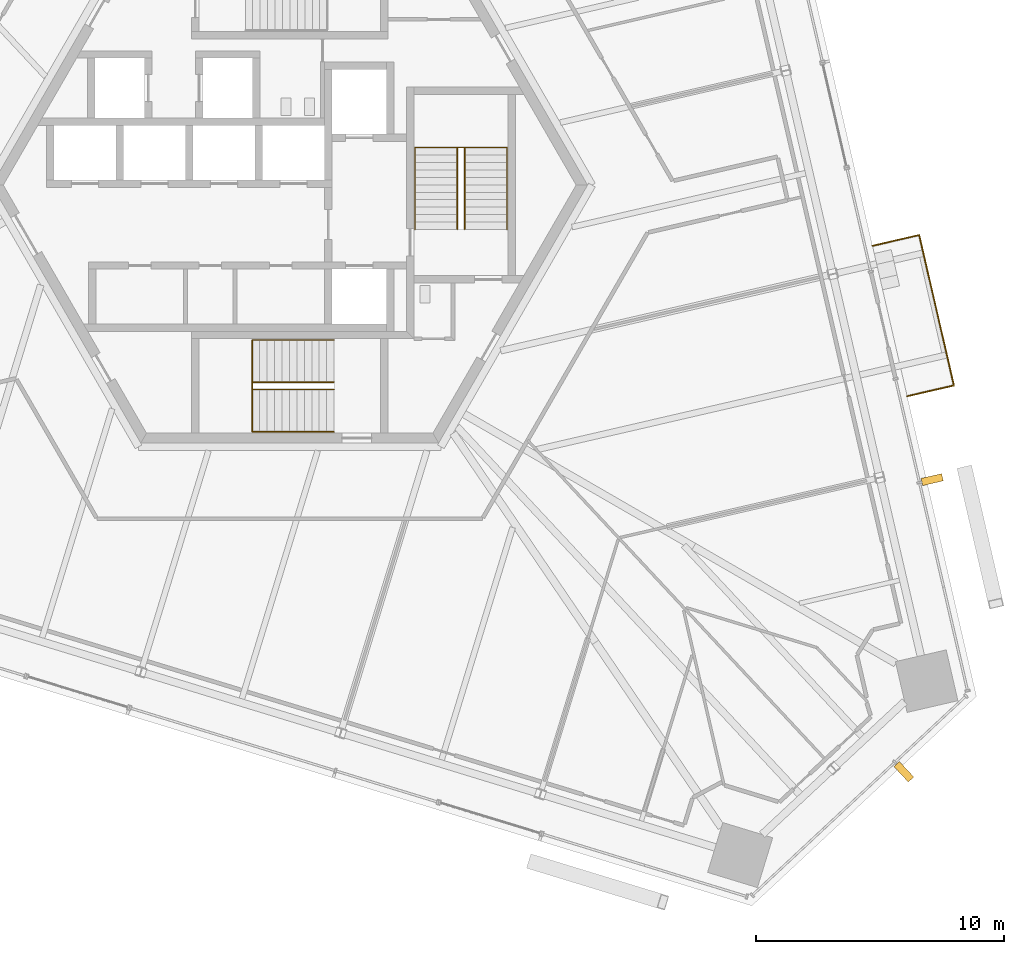
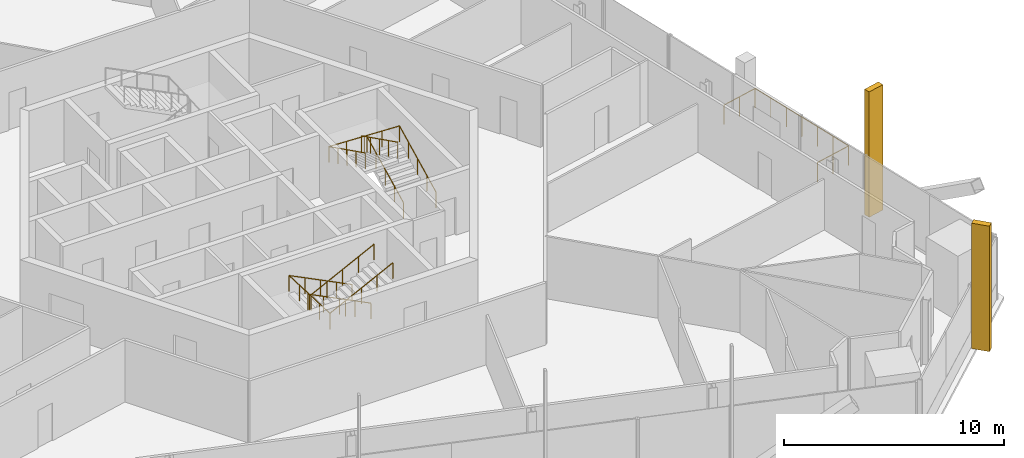
# One storey, part 19 of 24: 5 railings, 2 shading devices.
"""IFC4 building model written with IfcOpenShell, lengths in metres."""

import ifcopenshell
import ifcopenshell.guid

model = None  # the IFC model being written
_history = None  # IfcOwnerHistory: only IFC2X3 demands one
_inside = {}  # id of a spatial element -> (the spatial element, [elements in it])
_under = {}  # id of a project, library or spatial element -> (it, [spatial elements below it])
_declared = {}  # id of a project -> (the project, [libraries it declares])
_typed = {}  # id of a type object -> (the type object, [elements of that type])
_made_of = {}  # id of a material, layer set ... -> (it, [elements and type objects made of it])


def new_model(schema):
    """Start an empty IFC model of exactly this schema.

    Asked for "IFC4X3", IfcOpenShell would pick the latest addendum, in which some entities
    have other attributes; the version numbers below select the first issue.
    IFC2X3 requires an IfcOwnerHistory on every rooted entity: one is made here for all.
    """
    global model, _history
    if schema == "IFC4X3":
        model = ifcopenshell.file(schema_version=(4, 3, 0, 0))
    else:
        model = ifcopenshell.file(schema=schema)
    _inside.clear()
    _under.clear()
    _declared.clear()
    _typed.clear()
    _made_of.clear()
    _history = None
    if model.schema == "IFC2X3":
        org = make("IfcOrganization", Name="unknown")
        user = make(
            "IfcPersonAndOrganization",
            ThePerson=make("IfcPerson", FamilyName="unknown"),
            TheOrganization=org,
        )
        app = make(
            "IfcApplication",
            ApplicationDeveloper=org,
            Version="unknown",
            ApplicationFullName="unknown",
            ApplicationIdentifier="unknown",
        )
        _history = make(
            "IfcOwnerHistory",
            OwningUser=user,
            OwningApplication=app,
            ChangeAction="ADDED",
            CreationDate=0,
        )
    return model


def make(cls, **values):
    """One entity of the class cls with the attributes given. An attribute that is None is left unset."""
    return model.create_entity(
        cls, **{name: value for name, value in values.items() if value is not None}
    )


def rooted(cls, **values):
    """An entity with a GlobalId (a new one), such as an element, a storey or a relation."""
    return make(cls, GlobalId=ifcopenshell.guid.new(), OwnerHistory=_history, **values)


def si_unit(unit_type, name, prefix=None):
    """IfcSIUnit, for example si_unit("LENGTHUNIT", "METRE", prefix="MILLI")."""
    return make("IfcSIUnit", UnitType=unit_type, Prefix=prefix, Name=name)


def assignment(units):
    """IfcUnitAssignment: the units of a project."""
    return None if units is None else make("IfcUnitAssignment", Units=units)


def point(xyz):
    """IfcCartesianPoint."""
    return None if xyz is None else make("IfcCartesianPoint", Coordinates=xyz)


def direction(xyz):
    """IfcDirection."""
    return None if xyz is None else make("IfcDirection", DirectionRatios=xyz)


def frame(location, z_axis=None, x_axis=None):
    """IfcAxis2Placement3D, a coordinate frame: its origin and axes. An axis left out is left unset."""
    return make(
        "IfcAxis2Placement3D",
        Location=point(location),
        Axis=direction(z_axis),
        RefDirection=direction(x_axis),
    )


def frame_2d(location, x_axis=None):
    """IfcAxis2Placement2D, a coordinate frame in the plane: its origin and x axis."""
    return make(
        "IfcAxis2Placement2D", Location=point(location), RefDirection=direction(x_axis)
    )


def origin():
    """The frame at (0, 0, 0) with its axes left unset."""
    return frame((0.0, 0.0, 0.0))


def origin_2d():
    """The frame at (0, 0) in the plane with its x axis left unset."""
    return frame_2d((0.0, 0.0))


def place(relative_to, where):
    """IfcLocalPlacement: puts the frame where relative to a parent placement (None: the world)."""
    return make(
        "IfcLocalPlacement", PlacementRelTo=relative_to, RelativePlacement=where
    )


def context(
    kind, dimensions, precision=None, world=None, true_north=None, identifier=None
):
    """IfcGeometricRepresentationContext, for example the 3D "Model" context."""
    return make(
        "IfcGeometricRepresentationContext",
        ContextIdentifier=identifier,
        ContextType=kind,
        CoordinateSpaceDimension=dimensions,
        Precision=precision,
        WorldCoordinateSystem=world,
        TrueNorth=true_north,
    )


def subcontext(parent, identifier, kind, view, scale=None):
    """IfcGeometricRepresentationSubContext, for example "Body" below "Model"."""
    return make(
        "IfcGeometricRepresentationSubContext",
        ContextIdentifier=identifier,
        ContextType=kind,
        ParentContext=parent,
        TargetScale=scale,
        TargetView=view,
    )


def project(units=None, contexts=None):
    """IfcProject with its units and contexts."""
    return rooted(
        "IfcProject",
        Name="project",
        RepresentationContexts=contexts,
        UnitsInContext=assignment(units),
    )


def spatial(cls, under=None, at=None, **own):
    """A site, building, storey or space (cls), placed at a placement, below another one or the project."""
    s = rooted(cls, ObjectPlacement=at, **own)
    if under is not None:
        _under.setdefault(under.id(), (under, []))[1].append(s)
    return s


def profile(cls, at=None, kind="AREA", **sizes):
    """A parametric profile (cls). Its sizes go by their IFC names, for example OverallWidth=200.0."""
    return make(cls, ProfileType=kind, Position=at, **sizes)


def rectangle(**sizes):
    """IfcRectangleProfileDef."""
    return profile("IfcRectangleProfileDef", **sizes)


def circle(**sizes):
    """IfcCircleProfileDef."""
    return profile("IfcCircleProfileDef", **sizes)


def extrude(swept, where, along, depth):
    """IfcExtrudedAreaSolid: the profile swept, set in the frame where, extruded along a direction by depth."""
    return make(
        "IfcExtrudedAreaSolid",
        SweptArea=swept,
        Position=where,
        ExtrudedDirection=direction(along),
        Depth=depth,
    )


def shape(context_of_items, identifier, shape_type, items):
    """IfcShapeRepresentation: the items that make up one representation, for example the "Body"."""
    return make(
        "IfcShapeRepresentation",
        ContextOfItems=context_of_items,
        RepresentationIdentifier=identifier,
        RepresentationType=shape_type,
        Items=items,
    )


def source(mapping_origin, context_of_items, identifier, shape_type, items):
    """IfcRepresentationMap: a shape defined once, which mapped items show again and again."""
    return make(
        "IfcRepresentationMap",
        MappingOrigin=mapping_origin,
        MappedRepresentation=shape(context_of_items, identifier, shape_type, items),
    )


def transform(
    local_origin,
    x_axis=None,
    y_axis=None,
    z_axis=None,
    scale=None,
    scale2=None,
    scale3=None,
    uniform=True,
):
    """IfcCartesianTransformationOperator3D, or its non-uniform kind. x_axis, y_axis, z_axis: its Axis1, 2, 3."""
    if uniform:
        return make(
            "IfcCartesianTransformationOperator3D",
            Axis1=direction(x_axis),
            Axis2=direction(y_axis),
            LocalOrigin=point(local_origin),
            Scale=scale,
            Axis3=direction(z_axis),
        )
    return make(
        "IfcCartesianTransformationOperator3DnonUniform",
        Axis1=direction(x_axis),
        Axis2=direction(y_axis),
        LocalOrigin=point(local_origin),
        Scale=scale,
        Axis3=direction(z_axis),
        Scale2=scale2,
        Scale3=scale3,
    )


def mapped(mapping_source, mapping_target):
    """IfcMappedItem: shows the shape of a source again, moved by a transform."""
    return make(
        "IfcMappedItem", MappingSource=mapping_source, MappingTarget=mapping_target
    )


def material(Name=None, Category=None):
    """IfcMaterial."""
    return make("IfcMaterial", Name=Name, Category=Category)


def made_of(thing, what):
    """Note that an element or type object is made of a material, layer set ...; save() writes the relation."""
    if what is not None:
        _made_of.setdefault(what.id(), (what, []))[1].append(thing)
    return thing


def type_object(cls, material=None, **own):
    """A type object (cls), such as IfcWallType, which elements share."""
    return made_of(rooted(cls, **own), material)


def element(
    cls,
    number,
    at=None,
    inside=None,
    cuts=None,
    type_object=None,
    material=None,
    context=None,
    identifier="Body",
    shape_type=None,
    held_by="IfcProductDefinitionShape",
    body=None,
    shapes=None,
    **own,
):
    """One element of the class cls, such as IfcWall. Its Tag is "e" and its number.

    at: its placement. inside: the storey or other place that contains it. cuts: it is an
    opening in that element (IfcRelVoidsElement). A single representation is given by context,
    identifier, shape_type and body (its items); several are given by shapes. held_by: the class
    of the entity that holds the representations. save() writes the other relations.
    """
    e = rooted(cls, Tag="e%d" % number, ObjectPlacement=at, **own)
    if body is not None:
        shapes = [shape(context, identifier, shape_type, body)]
    if shapes is not None:
        e.Representation = make(held_by, Representations=shapes)
    if inside is not None:
        _inside.setdefault(inside.id(), (inside, []))[1].append(e)
    if cuts is not None:
        rooted(
            "IfcRelVoidsElement", RelatingBuildingElement=cuts, RelatedOpeningElement=e
        )
    if type_object is not None:
        _typed.setdefault(type_object.id(), (type_object, []))[1].append(e)
    return made_of(e, material)


def aggregate(whole, parts):
    """IfcRelAggregates: a whole, such as a stair, and the parts it consists of."""
    return rooted("IfcRelAggregates", RelatingObject=whole, RelatedObjects=parts)


def save(model, path):
    """Write the relations noted so far, then the file.

    IfcRelAggregates (storeys below a building ...), IfcRelContainedInSpatialStructure (elements
    in a storey), IfcRelDefinesByType, IfcRelAssociatesMaterial and IfcRelDeclares: one each for
    every whole, place, type object, material and project.
    """
    for whole, parts in _under.values():
        aggregate(whole, parts)
    for where, things in _inside.values():
        rooted(
            "IfcRelContainedInSpatialStructure",
            RelatedElements=things,
            RelatingStructure=where,
        )
    for kind, things in _typed.values():
        rooted("IfcRelDefinesByType", RelatedObjects=things, RelatingType=kind)
    for what, things in _made_of.values():
        rooted("IfcRelAssociatesMaterial", RelatedObjects=things, RelatingMaterial=what)
    for by, libraries in _declared.values():
        rooted("IfcRelDeclares", RelatingContext=by, RelatedDefinitions=libraries)
    model.write(path)


model = new_model("IFC4")

# Units and contexts
model_context = context("Model", 3, precision=1e-05, world=origin(), true_north=direction((0.0, 1.0)))
body_context = subcontext(model_context, "Body", "Model", "MODEL_VIEW")
ifc_project = project(units=[si_unit("LENGTHUNIT", "METRE"), si_unit("AREAUNIT", "SQUARE_METRE"), si_unit("VOLUMEUNIT", "CUBIC_METRE"), si_unit("PLANEANGLEUNIT", "RADIAN"), si_unit("MASSUNIT", "GRAM", prefix="KILO")], contexts=[model_context])

# Site, building, storey
site_placement = place(None, origin())
site = spatial("IfcSite", under=ifc_project, at=site_placement, CompositionType="ELEMENT")
building_placement = place(site_placement, origin())
building = spatial("IfcBuilding", under=site, at=building_placement, Name="Triune Harvest Tower", CompositionType="ELEMENT")
storey_placement = place(building_placement, frame((0.0, 0.0, 127.10009765625)))
storey = spatial("IfcBuildingStorey", under=building, at=storey_placement, Name="L32", CompositionType="ELEMENT", Elevation=127.10009765625)

# Railings
ifc_material_1 = material(Name="Glass", Category="glass")
railing_type_1 = type_object("IfcRailingType", Name="GD-2 balcony guard 1100", PredefinedType="GUARDRAIL", material=ifc_material_1)
railing_1_placement = place(storey_placement, frame((24.875, -8.505615234375, 0.0)))
element("IfcRailing", 1, at=railing_1_placement, inside=storey, type_object=railing_type_1, Name="Balcony guard B3-F1 L32.4", PredefinedType="GUARDRAIL", context=body_context, shape_type="SweptSolid", body=[
    extrude(circle(Radius=0.02392578125, at=origin_2d()), frame((0.0, 0.0, 1.076171875), z_axis=(0.974384803676, 0.224887203651, 0.0), x_axis=(-0.224887203651, 0.974384803676, 0.0)), (0.0, 0.0, 1.0), 1.931396484375),
    extrude(circle(Radius=0.02392578125, at=origin_2d()), frame((1.8818359375, 0.434326171875, 1.076171875), z_axis=(-0.224945519463, 0.974371342597, 0.0), x_axis=(-0.974371342597, -0.224945519463, 0.0)), (0.0, 0.0, 1.0), 6.218994140625),
    extrude(circle(Radius=0.02392578125, at=origin_2d()), frame((0.48291015625, 6.493896484375, 1.076171875), z_axis=(-0.974350695774, -0.225034934278, 0.0), x_axis=(0.225034934278, -0.974350695774, 0.0)), (0.0, 0.0, 1.0), 1.93115234375),
    extrude(circle(Radius=0.02099609375, at=origin_2d()), origin(), (0.0, 0.0, 1.0), 1.052001953125),
    extrude(circle(Radius=0.02099609375, at=origin_2d()), frame((0.94091796875, 0.21728515625, 0.0)), (0.0, 0.0, 1.0), 1.052001953125),
    extrude(circle(Radius=0.02099609375, at=origin_2d()), frame((1.8818359375, 0.434326171875, 0.0)), (0.0, 0.0, 1.0), 1.052001953125),
    extrude(circle(Radius=0.02099609375, at=origin_2d()), frame((1.648681640625, 1.4443359375, 0.0)), (0.0, 0.0, 1.0), 1.052001953125),
    extrude(circle(Radius=0.02099609375, at=origin_2d()), frame((1.41552734375, 2.4541015625, 0.0)), (0.0, 0.0, 1.0), 1.052001953125),
    extrude(circle(Radius=0.02099609375, at=origin_2d()), frame((1.182373046875, 3.464111328125, 0.0)), (0.0, 0.0, 1.0), 1.052001953125),
    extrude(circle(Radius=0.02099609375, at=origin_2d()), frame((0.94921875, 4.47412109375, 0.0)), (0.0, 0.0, 1.0), 1.052001953125),
    extrude(circle(Radius=0.02099609375, at=origin_2d()), frame((0.716064453125, 5.48388671875, 0.0)), (0.0, 0.0, 1.0), 1.052001953125),
    extrude(circle(Radius=0.02099609375, at=origin_2d()), frame((0.48291015625, 6.493896484375, 0.0)), (0.0, 0.0, 1.0), 1.052001953125),
    extrude(circle(Radius=0.02099609375, at=origin_2d()), frame((-0.4580078125, 6.276611328125, 0.0)), (0.0, 0.0, 1.0), 1.052001953125),
    extrude(circle(Radius=0.02099609375, at=origin_2d()), frame((-1.398681640625, 6.059326171875, 0.0)), (0.0, 0.0, 1.0), 1.052001953125),
])
ifc_material_2 = material(Name="Stainless steel AISI 316", Category="steel")
railing_type_2 = type_object("IfcRailingType", Name="Stair handrail", PredefinedType="HANDRAIL", material=ifc_material_2)
shared_shape_1 = source(origin(), body_context, "Body", "SweptSolid", [
    extrude(circle(Radius=0.02392578125, at=origin_2d()), frame((0.0, 0.0, 0.8759765625), z_axis=(-0.894440424912, 0.0, 0.447187126696), x_axis=(0.0, -1.0, 0.0)), (0.0, 0.0, 1.0), 3.689453125),
    extrude(circle(Radius=0.02392578125, at=origin_2d()), frame((-3.300048828125, 0.0, 2.52587890625), z_axis=(0.0, -0.999177620331, 0.040547293732), x_axis=(1.0, 0.0, 0.0)), (0.0, 0.0, 1.0), 3.702880859375),
    extrude(circle(Radius=0.02392578125, at=origin_2d()), frame((-3.300048828125, -3.699951171875, 2.67578125), z_axis=(0.894440424912, 0.0, 0.447187126696), x_axis=(0.0, 1.0, 0.0)), (0.0, 0.0, 1.0), 3.689453125),
    extrude(circle(Radius=0.02099609375, at=origin_2d()), origin(), (0.0, 0.0, 1.0), 0.851806640625),
    extrude(circle(Radius=0.02099609375, at=origin_2d()), frame((-0.824951171875, 0.0, 0.41259765625)), (0.0, 0.0, 1.0), 0.851806640625),
    extrude(circle(Radius=0.02099609375, at=origin_2d()), frame((-1.64990234375, 0.0, 0.824951171875)), (0.0, 0.0, 1.0), 0.851806640625),
    extrude(circle(Radius=0.02099609375, at=origin_2d()), frame((-2.47509765625, 0.0, 1.2373046875)), (0.0, 0.0, 1.0), 0.851806640625),
    extrude(circle(Radius=0.02099609375, at=origin_2d()), frame((-3.300048828125, 0.0, 1.64990234375)), (0.0, 0.0, 1.0), 0.851806640625),
    extrude(circle(Radius=0.02099609375, at=origin_2d()), frame((-3.300048828125, -0.925048828125, 1.6875)), (0.0, 0.0, 1.0), 0.851806640625),
    extrude(circle(Radius=0.02099609375, at=origin_2d()), frame((-3.300048828125, -1.85009765625, 1.72509765625)), (0.0, 0.0, 1.0), 0.851806640625),
    extrude(circle(Radius=0.02099609375, at=origin_2d()), frame((-3.300048828125, -2.77490234375, 1.762451171875)), (0.0, 0.0, 1.0), 0.851806640625),
    extrude(circle(Radius=0.02099609375, at=origin_2d()), frame((-3.300048828125, -3.699951171875, 1.800048828125)), (0.0, 0.0, 1.0), 0.851806640625),
    extrude(circle(Radius=0.02099609375, at=origin_2d()), frame((-2.47509765625, -3.699951171875, 2.21240234375)), (0.0, 0.0, 1.0), 0.851806640625),
    extrude(circle(Radius=0.02099609375, at=origin_2d()), frame((-1.64990234375, -3.699951171875, 2.625)), (0.0, 0.0, 1.0), 0.851806640625),
    extrude(circle(Radius=0.02099609375, at=origin_2d()), frame((-0.824951171875, -3.699951171875, 3.03759765625)), (0.0, 0.0, 1.0), 0.851806640625),
    extrude(circle(Radius=0.02099609375, at=origin_2d()), frame((0.0, -3.699951171875, 3.449951171875)), (0.0, 0.0, 1.0), 0.851806640625),
])
railing_2_placement = place(storey_placement, frame((1.7900390625, -6.239990234375, 0.14990234375)))
element("IfcRailing", 2, at=railing_2_placement, inside=storey, type_object=railing_type_2, Name="Exit stair south wall handrail", PredefinedType="HANDRAIL", context=body_context, shape_type="MappedRepresentation", body=[
    mapped(shared_shape_1, transform((0.0, 0.0, 0.0), scale=1.0)),
])
shared_shape_2 = source(origin(), body_context, "Body", "SweptSolid", [
    extrude(circle(Radius=0.02392578125, at=origin_2d()), frame((0.0, 0.0, 0.8759765625), z_axis=(-0.894440424912, 0.0, 0.447187126696), x_axis=(0.0, -1.0, 0.0)), (0.0, 0.0, 1.0), 3.689453125),
    extrude(circle(Radius=0.02392578125, at=origin_2d()), frame((-3.300048828125, 0.0, 2.52587890625), z_axis=(0.0, -0.894281613681, 0.447504631744), x_axis=(1.0, 0.0, 0.0)), (0.0, 0.0, 1.0), 0.33544921875),
    extrude(circle(Radius=0.02392578125, at=origin_2d()), frame((-3.300048828125, -0.300048828125, 2.67578125), z_axis=(0.894440424912, 0.0, 0.447187126696), x_axis=(0.0, 1.0, 0.0)), (0.0, 0.0, 1.0), 3.689453125),
    extrude(circle(Radius=0.02099609375, at=origin_2d()), origin(), (0.0, 0.0, 1.0), 0.851806640625),
    extrude(circle(Radius=0.02099609375, at=origin_2d()), frame((-0.824951171875, 0.0, 0.41259765625)), (0.0, 0.0, 1.0), 0.851806640625),
    extrude(circle(Radius=0.02099609375, at=origin_2d()), frame((-1.64990234375, 0.0, 0.824951171875)), (0.0, 0.0, 1.0), 0.851806640625),
    extrude(circle(Radius=0.02099609375, at=origin_2d()), frame((-2.47509765625, 0.0, 1.2373046875)), (0.0, 0.0, 1.0), 0.851806640625),
    extrude(circle(Radius=0.02099609375, at=origin_2d()), frame((-3.300048828125, 0.0, 1.64990234375)), (0.0, 0.0, 1.0), 0.851806640625),
    extrude(circle(Radius=0.02099609375, at=origin_2d()), frame((-3.300048828125, -0.300048828125, 1.800048828125)), (0.0, 0.0, 1.0), 0.851806640625),
    extrude(circle(Radius=0.02099609375, at=origin_2d()), frame((-2.47509765625, -0.300048828125, 2.21240234375)), (0.0, 0.0, 1.0), 0.851806640625),
    extrude(circle(Radius=0.02099609375, at=origin_2d()), frame((-1.64990234375, -0.300048828125, 2.625)), (0.0, 0.0, 1.0), 0.851806640625),
    extrude(circle(Radius=0.02099609375, at=origin_2d()), frame((-0.824951171875, -0.300048828125, 3.03759765625)), (0.0, 0.0, 1.0), 0.851806640625),
    extrude(circle(Radius=0.02099609375, at=origin_2d()), frame((0.0, -0.300048828125, 3.449951171875)), (0.0, 0.0, 1.0), 0.851806640625),
])
railing_3_placement = place(storey_placement, frame((1.7900390625, -7.93994140625, 0.14990234375)))
element("IfcRailing", 3, at=railing_3_placement, inside=storey, type_object=railing_type_2, Name="Exit stair south centre handrail", PredefinedType="HANDRAIL", context=body_context, shape_type="MappedRepresentation", body=[
    mapped(shared_shape_2, transform((0.0, 0.0, 0.0), scale=1.0)),
])
shared_shape_3 = source(origin(), body_context, "Body", "SweptSolid", [
    extrude(circle(Radius=0.02392578125, at=origin_2d()), frame((0.0, 0.0, 0.8759765625), z_axis=(0.0, 0.894440424912, 0.447187126696), x_axis=(-1.0, 0.0, 0.0)), (0.0, 0.0, 1.0), 3.689453125),
    extrude(circle(Radius=0.02392578125, at=origin_2d()), frame((0.0, 3.300048828125, 2.52587890625), z_axis=(-0.999177620331, 0.0, 0.040547293732), x_axis=(0.0, -1.0, 0.0)), (0.0, 0.0, 1.0), 3.702880859375),
    extrude(circle(Radius=0.02392578125, at=origin_2d()), frame((-3.699951171875, 3.300048828125, 2.67578125), z_axis=(0.0, -0.894440424912, 0.447187126696), x_axis=(1.0, 0.0, 0.0)), (0.0, 0.0, 1.0), 3.689453125),
    extrude(circle(Radius=0.02099609375, at=origin_2d()), origin(), (0.0, 0.0, 1.0), 0.851806640625),
    extrude(circle(Radius=0.02099609375, at=origin_2d()), frame((0.0, 0.824951171875, 0.41259765625)), (0.0, 0.0, 1.0), 0.851806640625),
    extrude(circle(Radius=0.02099609375, at=origin_2d()), frame((0.0, 1.64990234375, 0.824951171875)), (0.0, 0.0, 1.0), 0.851806640625),
    extrude(circle(Radius=0.02099609375, at=origin_2d()), frame((0.0, 2.47509765625, 1.2373046875)), (0.0, 0.0, 1.0), 0.851806640625),
    extrude(circle(Radius=0.02099609375, at=origin_2d()), frame((0.0, 3.300048828125, 1.64990234375)), (0.0, 0.0, 1.0), 0.851806640625),
    extrude(circle(Radius=0.02099609375, at=origin_2d()), frame((-0.925048828125, 3.300048828125, 1.6875)), (0.0, 0.0, 1.0), 0.851806640625),
    extrude(circle(Radius=0.02099609375, at=origin_2d()), frame((-1.85009765625, 3.300048828125, 1.72509765625)), (0.0, 0.0, 1.0), 0.851806640625),
    extrude(circle(Radius=0.02099609375, at=origin_2d()), frame((-2.77490234375, 3.300048828125, 1.762451171875)), (0.0, 0.0, 1.0), 0.851806640625),
    extrude(circle(Radius=0.02099609375, at=origin_2d()), frame((-3.699951171875, 3.300048828125, 1.800048828125)), (0.0, 0.0, 1.0), 0.851806640625),
    extrude(circle(Radius=0.02099609375, at=origin_2d()), frame((-3.699951171875, 2.47509765625, 2.21240234375)), (0.0, 0.0, 1.0), 0.851806640625),
    extrude(circle(Radius=0.02099609375, at=origin_2d()), frame((-3.699951171875, 1.64990234375, 2.625)), (0.0, 0.0, 1.0), 0.851806640625),
    extrude(circle(Radius=0.02099609375, at=origin_2d()), frame((-3.699951171875, 0.824951171875, 3.03759765625)), (0.0, 0.0, 1.0), 0.851806640625),
    extrude(circle(Radius=0.02099609375, at=origin_2d()), frame((-3.699951171875, 0.0, 3.449951171875)), (0.0, 0.0, 1.0), 0.851806640625),
])
railing_4_placement = place(storey_placement, frame((8.75, -1.7900390625, 0.14990234375)))
element("IfcRailing", 4, at=railing_4_placement, inside=storey, type_object=railing_type_2, Name="Exit stair east wall handrail", PredefinedType="HANDRAIL", context=body_context, shape_type="MappedRepresentation", body=[
    mapped(shared_shape_3, transform((0.0, 0.0, 0.0), scale=1.0)),
])
shared_shape_4 = source(origin(), body_context, "Body", "SweptSolid", [
    extrude(circle(Radius=0.02392578125, at=origin_2d()), frame((0.0, 0.0, 0.8759765625), z_axis=(0.0, 0.894440424912, 0.447187126696), x_axis=(-1.0, 0.0, 0.0)), (0.0, 0.0, 1.0), 3.689453125),
    extrude(circle(Radius=0.02392578125, at=origin_2d()), frame((0.0, 3.300048828125, 2.52587890625), z_axis=(-0.894281613681, 0.0, 0.447504631744), x_axis=(0.0, -1.0, 0.0)), (0.0, 0.0, 1.0), 0.33544921875),
    extrude(circle(Radius=0.02392578125, at=origin_2d()), frame((-0.300048828125, 3.300048828125, 2.67578125), z_axis=(0.0, -0.894440424912, 0.447187126696), x_axis=(1.0, 0.0, 0.0)), (0.0, 0.0, 1.0), 3.689453125),
    extrude(circle(Radius=0.02099609375, at=origin_2d()), origin(), (0.0, 0.0, 1.0), 0.851806640625),
    extrude(circle(Radius=0.02099609375, at=origin_2d()), frame((0.0, 0.824951171875, 0.41259765625)), (0.0, 0.0, 1.0), 0.851806640625),
    extrude(circle(Radius=0.02099609375, at=origin_2d()), frame((0.0, 1.64990234375, 0.824951171875)), (0.0, 0.0, 1.0), 0.851806640625),
    extrude(circle(Radius=0.02099609375, at=origin_2d()), frame((0.0, 2.47509765625, 1.2373046875)), (0.0, 0.0, 1.0), 0.851806640625),
    extrude(circle(Radius=0.02099609375, at=origin_2d()), frame((0.0, 3.300048828125, 1.64990234375)), (0.0, 0.0, 1.0), 0.851806640625),
    extrude(circle(Radius=0.02099609375, at=origin_2d()), frame((-0.300048828125, 3.300048828125, 1.800048828125)), (0.0, 0.0, 1.0), 0.851806640625),
    extrude(circle(Radius=0.02099609375, at=origin_2d()), frame((-0.300048828125, 2.47509765625, 2.21240234375)), (0.0, 0.0, 1.0), 0.851806640625),
    extrude(circle(Radius=0.02099609375, at=origin_2d()), frame((-0.300048828125, 1.64990234375, 2.625)), (0.0, 0.0, 1.0), 0.851806640625),
    extrude(circle(Radius=0.02099609375, at=origin_2d()), frame((-0.300048828125, 0.824951171875, 3.03759765625)), (0.0, 0.0, 1.0), 0.851806640625),
    extrude(circle(Radius=0.02099609375, at=origin_2d()), frame((-0.300048828125, 0.0, 3.449951171875)), (0.0, 0.0, 1.0), 0.851806640625),
])
railing_5_placement = place(storey_placement, frame((7.050048828125, -1.7900390625, 0.14990234375)))
element("IfcRailing", 5, at=railing_5_placement, inside=storey, type_object=railing_type_2, Name="Exit stair east centre handrail", PredefinedType="HANDRAIL", context=body_context, shape_type="MappedRepresentation", body=[
    mapped(shared_shape_4, transform((0.0, 0.0, 0.0), scale=1.0)),
])

# Shading devices
ifc_material_3 = material(Name="Aluminium bronze anodised", Category="aluminium")
shared_shape_5 = source(origin(), body_context, "Body", "SweptSolid", [
    extrude(rectangle(XDim=0.300048828125, YDim=0.85009765625, at=origin_2d()), origin(), (0.0, 0.0, 1.0), 6.949951171875),
])
for number, where, z_axis, x_axis, name in (
    (6, (25.881591796875, -11.865478515625, 0.0), (0.0, 0.0, 1.0), (-0.22495121687, 0.974370027263, 0.0), "FN-2 fin B3-F1.3 L32"),
    (7, (24.73974609375, -23.634765625, 0.0), (0.0, 0.0, 1.0), (0.731349946151, 0.682002387287, 0.0), "FN-2 fin B3-F6.3 L32"),
):
    element("IfcShadingDevice", number, at=place(storey_placement, frame(where, z_axis=z_axis, x_axis=x_axis)), inside=storey, material=ifc_material_3, Name=name, ObjectType="FIN", PredefinedType="USERDEFINED", context=body_context, shape_type="MappedRepresentation", body=[
        mapped(shared_shape_5, transform((0.0, 0.0, 0.0), scale=1.0)),
    ])

save(model, "model.ifc")
